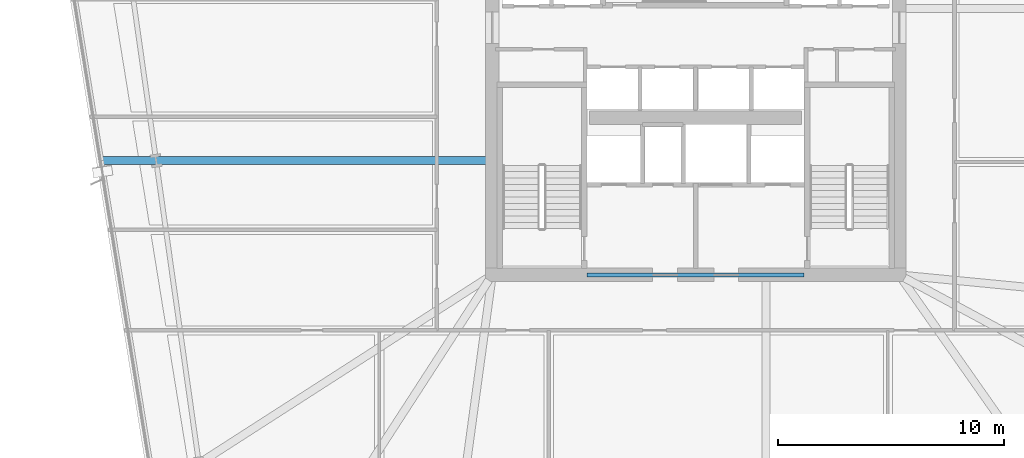
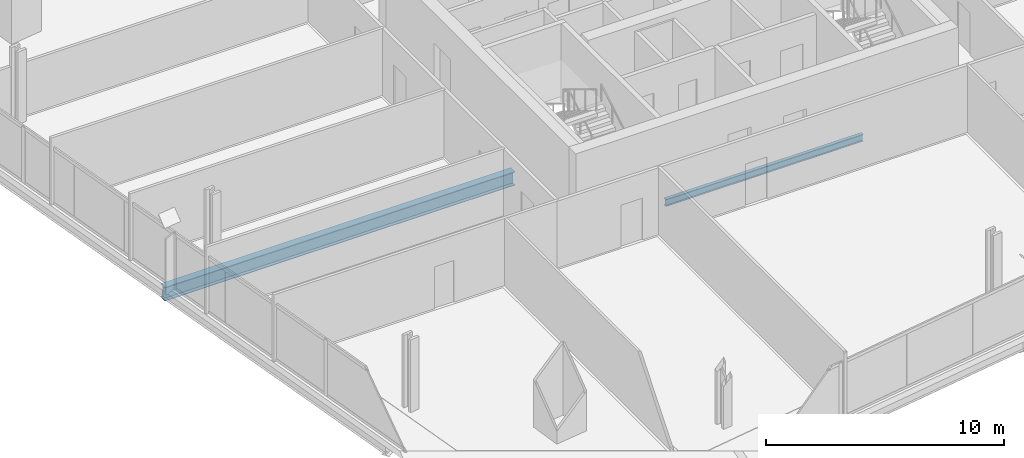
# One storey, part 8 of 33: 2 beams.
"""IFC4 building model written with IfcOpenShell, lengths in metres."""

from ifc_helpers import new_model, si_unit, direction, frame, origin, origin_2d, place, context, subcontext, project, spatial, i_section, extrude, material, material_profile, profile_set, type_object, element, save


model = new_model("IFC4")

# Units and contexts
model_context = context("Model", 3, precision=1e-05, world=origin(), true_north=direction((0.0, 1.0)))
body_context = subcontext(model_context, "Body", "Model", "MODEL_VIEW")
ifc_project = project(units=[si_unit("LENGTHUNIT", "METRE"), si_unit("AREAUNIT", "SQUARE_METRE"), si_unit("VOLUMEUNIT", "CUBIC_METRE"), si_unit("PLANEANGLEUNIT", "RADIAN"), si_unit("MASSUNIT", "GRAM", prefix="KILO")], contexts=[model_context])

# Site, building, storey
site_placement = place(None, origin())
site = spatial("IfcSite", under=ifc_project, at=site_placement, CompositionType="ELEMENT")
building_placement = place(site_placement, origin())
building = spatial("IfcBuilding", under=site, at=building_placement, Name="Haldenkirk Collegiate Tower", CompositionType="ELEMENT")
storey_placement = place(building_placement, frame((0.0, 0.0, 58.949951171875)))
storey = spatial("IfcBuildingStorey", under=building, at=storey_placement, Name="L13", CompositionType="ELEMENT", Elevation=58.949951171875)

# Beams
ifc_material = material(Name="Steel ASTM A992 Grade 50", Category="steel")
ifc_material_profile_1 = material_profile(ifc_material, i_section(OverallWidth=0.35498046875, OverallDepth=0.696044921875, WebThickness=0.015380859375, FlangeThickness=0.02490234375, at=origin_2d()), Name="W27X146")
ifc_profile_set_1 = profile_set([ifc_material_profile_1], Name="Steel ASTM A992 Grade 50")
beam_type_1 = type_object("IfcBeamType", Name="BM-GIRDER-W27X146", PredefinedType="BEAM", material=ifc_profile_set_1)
beam_1_placement = place(storey_placement, frame((9.702880859375, 23.052978515625, -0.657958984375), z_axis=(1.0, 0.0, 0.0), x_axis=(0.0, 1.0, 0.0)))
element("IfcBeam", 1, at=beam_1_placement, inside=storey, type_object=beam_type_1, Name="L13 primary floor girder 15", PredefinedType="BEAM", context=body_context, shape_type="SweptSolid", body=[
    extrude(i_section(OverallWidth=0.35498046875, OverallDepth=0.696044921875, WebThickness=0.015380859375, FlangeThickness=0.02490234375, at=origin_2d()), origin(), (0.0, 0.0, 1.0), 17.01708984375),
])
ifc_material_profile_2 = material_profile(ifc_material, i_section(OverallWidth=0.1708984375, OverallDepth=0.35595703125, WebThickness=0.007080078125, FlangeThickness=0.01171875, at=origin_2d()), Name="W14X34")
ifc_profile_set_2 = profile_set([ifc_material_profile_2], Name="Steel ASTM A992 Grade 50")
beam_type_2 = type_object("IfcBeamType", Name="BM-LINTEL-W14X34", PredefinedType="LINTEL", material=ifc_profile_set_2)
beam_2_placement = place(storey_placement, frame((31.199951171875, 18.0, -0.488037109375), z_axis=(1.0, 0.0, 0.0), x_axis=(0.0, 1.0, 0.0)))
element("IfcBeam", 2, at=beam_2_placement, inside=storey, type_object=beam_type_2, Name="L13 south core coupling lintel", PredefinedType="LINTEL", context=body_context, shape_type="SweptSolid", body=[
    extrude(i_section(OverallWidth=0.1708984375, OverallDepth=0.35595703125, WebThickness=0.007080078125, FlangeThickness=0.01171875, at=origin_2d()), origin(), (0.0, 0.0, 1.0), 9.60009765625),
])

save(model, "model.ifc")
